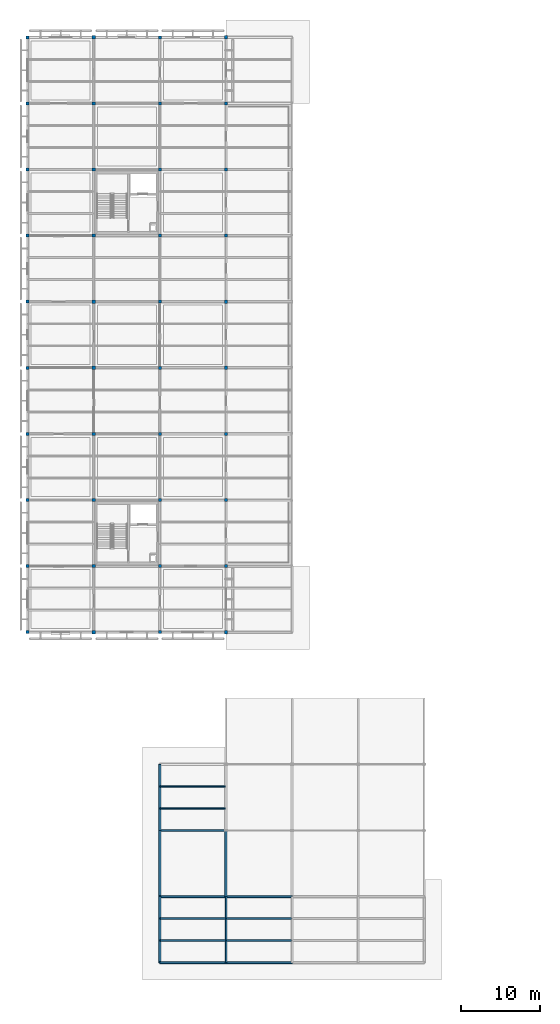
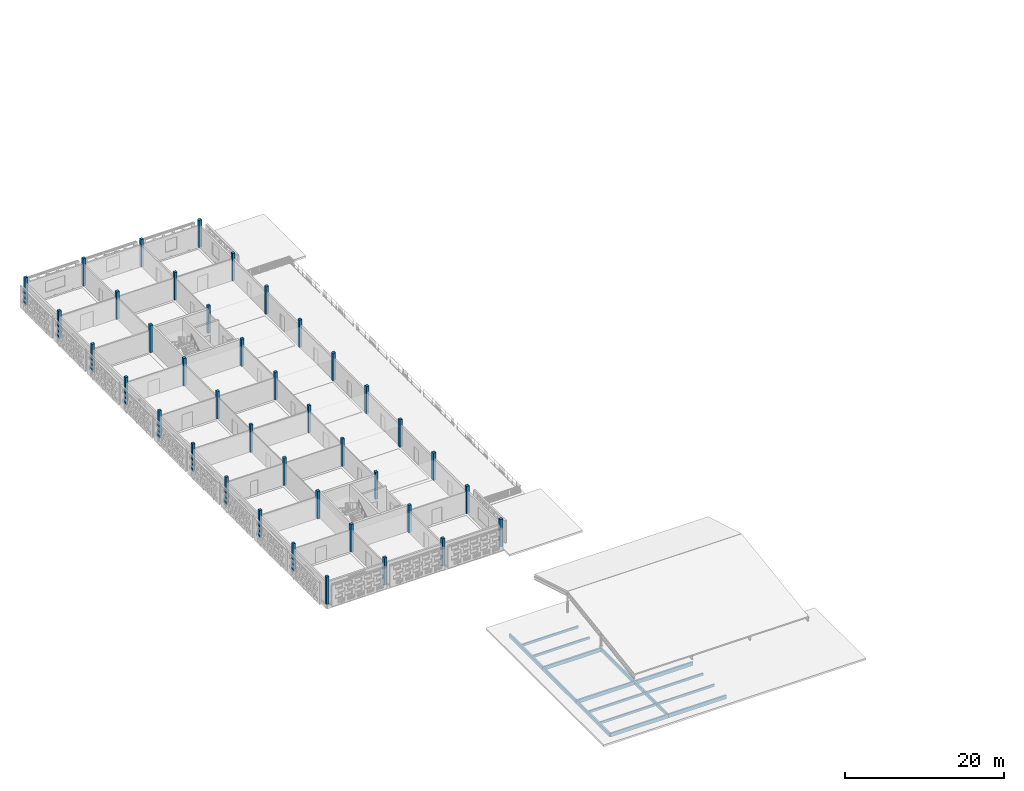
# One storey, part 1 of 31: 40 columns, 16 beams.
"""IFC4 building model written with IfcOpenShell, lengths in metres."""

from ifc_helpers import new_model, si_unit, direction, frame, origin, origin_2d, place, context, subcontext, project, spatial, rectangle, extrude, material, material_profile, profile_set, type_object, element, save


model = new_model("IFC4")

# Units and contexts
model_context = context("Model", 3, precision=1e-05, world=origin(), true_north=direction((0.0, 1.0)))
body_context = subcontext(model_context, "Body", "Model", "MODEL_VIEW")
ifc_project = project(units=[si_unit("LENGTHUNIT", "METRE"), si_unit("AREAUNIT", "SQUARE_METRE"), si_unit("VOLUMEUNIT", "CUBIC_METRE"), si_unit("PLANEANGLEUNIT", "RADIAN"), si_unit("MASSUNIT", "GRAM", prefix="KILO")], contexts=[model_context])

# Site, building, storey
site_placement = place(None, origin())
site = spatial("IfcSite", under=ifc_project, at=site_placement, CompositionType="ELEMENT")
building_placement = place(site_placement, origin())
building = spatial("IfcBuilding", under=site, at=building_placement, Name="Varnapada Polytechnic", CompositionType="ELEMENT")
storey_placement = place(building_placement, frame((0.0, 0.0, 22.199951171875)))
storey = spatial("IfcBuildingStorey", under=building, at=storey_placement, Name="L05", CompositionType="ELEMENT", Elevation=22.199951171875)

# Columns
ifc_material = material(Name="Glulam GL32h", Category="wood")
ifc_material_profile_1 = material_profile(ifc_material, rectangle(XDim=0.39990234375, YDim=0.39990234375, at=origin_2d()), Name="GL 400x400")
ifc_profile_set_1 = profile_set([ifc_material_profile_1], Name="Glulam GL32h")
column_type_1 = type_object("IfcColumnType", Name="Column C-13 (GL 400x400)", PredefinedType="COLUMN", material=ifc_profile_set_1)
for number, where, z_axis, x_axis, name in (
    (1, (8.39990234375, 50.39990234375, 0.0), (0.0, 0.0, 1.0), (1.0, 0.0, 0.0), "L05 column 2/7"),
    (2, (8.39990234375, 58.800048828125, 0.0), (0.0, 0.0, 1.0), (1.0, 0.0, 0.0), "L05 column 2/8"),
    (3, (8.39990234375, 67.199951171875, 0.0), (0.0, 0.0, 1.0), (1.0, 0.0, 0.0), "L05 column 2/9"),
    (4, (8.39990234375, 75.60009765625, 0.0), (0.0, 0.0, 1.0), (1.0, 0.0, 0.0), "L05 column 2/10"),
    (5, (8.39990234375, 84.0, 0.0), (0.0, 0.0, 1.0), (1.0, 0.0, 0.0), "L05 column 2/11"),
    (6, (8.39990234375, 92.39990234375, 0.0), (0.0, 0.0, 1.0), (1.0, 0.0, 0.0), "L05 column 2/12"),
    (7, (8.39990234375, 100.800048828125, 0.0), (0.0, 0.0, 1.0), (1.0, 0.0, 0.0), "L05 column 2/13"),
    (8, (8.39990234375, 109.199951171875, 0.0), (0.0, 0.0, 1.0), (1.0, 0.0, 0.0), "L05 column 2/14"),
    (9, (8.39990234375, 117.60009765625, 0.0), (0.0, 0.0, 1.0), (1.0, 0.0, 0.0), "L05 column 2/15"),
    (10, (8.39990234375, 126.0, 0.0), (0.0, 0.0, 1.0), (1.0, 0.0, 0.0), "L05 column 2/16"),
    (11, (25.199951171875, 50.39990234375, 0.0), (0.0, 0.0, 1.0), (1.0, 0.0, 0.0), "L05 column 4/7"),
    (12, (25.199951171875, 58.800048828125, 0.0), (0.0, 0.0, 1.0), (1.0, 0.0, 0.0), "L05 column 4/8"),
    (13, (25.199951171875, 67.199951171875, 0.0), (0.0, 0.0, 1.0), (1.0, 0.0, 0.0), "L05 column 4/9"),
    (14, (25.199951171875, 75.60009765625, 0.0), (0.0, 0.0, 1.0), (1.0, 0.0, 0.0), "L05 column 4/10"),
    (15, (25.199951171875, 84.0, 0.0), (0.0, 0.0, 1.0), (1.0, 0.0, 0.0), "L05 column 4/11"),
    (16, (25.199951171875, 92.39990234375, 0.0), (0.0, 0.0, 1.0), (1.0, 0.0, 0.0), "L05 column 4/12"),
    (17, (25.199951171875, 100.800048828125, 0.0), (0.0, 0.0, 1.0), (1.0, 0.0, 0.0), "L05 column 4/13"),
    (18, (25.199951171875, 109.199951171875, 0.0), (0.0, 0.0, 1.0), (1.0, 0.0, 0.0), "L05 column 4/14"),
    (19, (25.199951171875, 117.60009765625, 0.0), (0.0, 0.0, 1.0), (1.0, 0.0, 0.0), "L05 column 4/15"),
    (20, (25.199951171875, 126.0, 0.0), (0.0, 0.0, 1.0), (1.0, 0.0, 0.0), "L05 column 4/16"),
):
    element("IfcColumn", number, at=place(storey_placement, frame(where, z_axis=z_axis, x_axis=x_axis)), inside=storey, type_object=column_type_1, Name=name, PredefinedType="COLUMN", context=body_context, shape_type="SweptSolid", body=[
        extrude(rectangle(XDim=0.39990234375, YDim=0.39990234375, at=origin_2d()), origin(), (0.0, 0.0, 1.0), 4.199951171875),
    ])
ifc_material_profile_2 = material_profile(ifc_material, rectangle(XDim=0.3798828125, YDim=0.3798828125, at=origin_2d()), Name="GL 380x380")
ifc_profile_set_2 = profile_set([ifc_material_profile_2], Name="Glulam GL32h")
column_type_2 = type_object("IfcColumnType", Name="Column C-24 (GL 380x380)", PredefinedType="COLUMN", material=ifc_profile_set_2)
for number, where, z_axis, x_axis, name in (
    (21, (0.0, 50.39990234375, 0.0), (0.0, 0.0, 1.0), (1.0, 0.0, 0.0), "L05 column 1/7"),
    (22, (0.0, 58.800048828125, 0.0), (0.0, 0.0, 1.0), (1.0, 0.0, 0.0), "L05 column 1/8"),
    (23, (0.0, 67.199951171875, 0.0), (0.0, 0.0, 1.0), (1.0, 0.0, 0.0), "L05 column 1/9"),
    (24, (0.0, 75.60009765625, 0.0), (0.0, 0.0, 1.0), (1.0, 0.0, 0.0), "L05 column 1/10"),
    (25, (0.0, 84.0, 0.0), (0.0, 0.0, 1.0), (1.0, 0.0, 0.0), "L05 column 1/11"),
    (26, (0.0, 92.39990234375, 0.0), (0.0, 0.0, 1.0), (1.0, 0.0, 0.0), "L05 column 1/12"),
    (27, (0.0, 100.800048828125, 0.0), (0.0, 0.0, 1.0), (1.0, 0.0, 0.0), "L05 column 1/13"),
    (28, (0.0, 109.199951171875, 0.0), (0.0, 0.0, 1.0), (1.0, 0.0, 0.0), "L05 column 1/14"),
    (29, (0.0, 117.60009765625, 0.0), (0.0, 0.0, 1.0), (1.0, 0.0, 0.0), "L05 column 1/15"),
    (30, (0.0, 126.0, 0.0), (0.0, 0.0, 1.0), (1.0, 0.0, 0.0), "L05 column 1/16"),
    (31, (16.800048828125, 50.39990234375, 0.0), (0.0, 0.0, 1.0), (1.0, 0.0, 0.0), "L05 column 3/7"),
    (32, (16.800048828125, 58.800048828125, 0.0), (0.0, 0.0, 1.0), (1.0, 0.0, 0.0), "L05 column 3/8"),
    (33, (16.800048828125, 67.199951171875, 0.0), (0.0, 0.0, 1.0), (1.0, 0.0, 0.0), "L05 column 3/9"),
    (34, (16.800048828125, 75.60009765625, 0.0), (0.0, 0.0, 1.0), (1.0, 0.0, 0.0), "L05 column 3/10"),
    (35, (16.800048828125, 84.0, 0.0), (0.0, 0.0, 1.0), (1.0, 0.0, 0.0), "L05 column 3/11"),
    (36, (16.800048828125, 92.39990234375, 0.0), (0.0, 0.0, 1.0), (1.0, 0.0, 0.0), "L05 column 3/12"),
    (37, (16.800048828125, 100.800048828125, 0.0), (0.0, 0.0, 1.0), (1.0, 0.0, 0.0), "L05 column 3/13"),
    (38, (16.800048828125, 109.199951171875, 0.0), (0.0, 0.0, 1.0), (1.0, 0.0, 0.0), "L05 column 3/14"),
    (39, (16.800048828125, 117.60009765625, 0.0), (0.0, 0.0, 1.0), (1.0, 0.0, 0.0), "L05 column 3/15"),
    (40, (16.800048828125, 126.0, 0.0), (0.0, 0.0, 1.0), (1.0, 0.0, 0.0), "L05 column 3/16"),
):
    element("IfcColumn", number, at=place(storey_placement, frame(where, z_axis=z_axis, x_axis=x_axis)), inside=storey, type_object=column_type_2, Name=name, PredefinedType="COLUMN", context=body_context, shape_type="SweptSolid", body=[
        extrude(rectangle(XDim=0.3798828125, YDim=0.3798828125, at=origin_2d()), origin(), (0.0, 0.0, 1.0), 4.199951171875),
    ])

# Beams
ifc_material_profile_3 = material_profile(ifc_material, rectangle(XDim=0.239990234375, YDim=0.56005859375, at=origin_2d()), Name="GL 240x560")
ifc_profile_set_3 = profile_set([ifc_material_profile_3], Name="Glulam GL32h")
beam_type_1 = type_object("IfcBeamType", Name="Perimeter glulam spandrel beam SP-02 (GL 240x560)", PredefinedType="SPANDREL", material=ifc_profile_set_3)
beam_1_placement = place(storey_placement, frame((16.800048828125, 8.39990234375, -0.550048828125), z_axis=(1.0, 0.0, 0.0), x_axis=(0.0, 1.0, 0.0)))
element("IfcBeam", 41, at=beam_1_placement, inside=storey, type_object=beam_type_1, Name="L05 beam X 3-4 at Y2", PredefinedType="SPANDREL", context=body_context, shape_type="SweptSolid", body=[
    extrude(rectangle(XDim=0.239990234375, YDim=0.56005859375, at=origin_2d()), origin(), (0.0, 0.0, 1.0), 8.39990234375),
])
for number, where, z_axis, x_axis, name in (
    (42, (25.199951171875, 8.39990234375, -0.550048828125), (1.0, 0.0, 0.0), (0.0, 1.0, 0.0), "L05 beam X 4-5 at Y2"),
    (43, (25.199951171875, 16.800048828125, -0.550048828125), (1.0, 0.0, 0.0), (0.0, 1.0, 0.0), "L05 beam X 4-5 at Y3"),
    (44, (16.800048828125, 8.39990234375, -0.550048828125), (0.0, 1.0, 0.0), (-1.0, 0.0, 0.0), "L05 beam Y 2-3 at X3"),
):
    element("IfcBeam", number, at=place(storey_placement, frame(where, z_axis=z_axis, x_axis=x_axis)), inside=storey, type_object=beam_type_1, Name=name, PredefinedType="SPANDREL", context=body_context, shape_type="SweptSolid", body=[
        extrude(rectangle(XDim=0.239990234375, YDim=0.56005859375, at=origin_2d()), origin(), (0.0, 0.0, 1.0), 8.400146484375),
    ])
beam_2_placement = place(storey_placement, frame((16.800048828125, 16.800048828125, -0.550048828125), z_axis=(0.0, 1.0, 0.0), x_axis=(-1.0, 0.0, 0.0)))
element("IfcBeam", 45, at=beam_2_placement, inside=storey, type_object=beam_type_1, Name="L05 beam Y 3-4 at X3", PredefinedType="SPANDREL", context=body_context, shape_type="SweptSolid", body=[
    extrude(rectangle(XDim=0.239990234375, YDim=0.56005859375, at=origin_2d()), origin(), (0.0, 0.0, 1.0), 8.39990234375),
])
beam_3_placement = place(storey_placement, frame((16.800048828125, 25.199951171875, -0.550048828125), z_axis=(0.0, 1.0, 0.0), x_axis=(-1.0, 0.0, 0.0)))
element("IfcBeam", 46, at=beam_3_placement, inside=storey, type_object=beam_type_1, Name="L05 beam Y 4-5 at X3", PredefinedType="SPANDREL", context=body_context, shape_type="SweptSolid", body=[
    extrude(rectangle(XDim=0.239990234375, YDim=0.56005859375, at=origin_2d()), origin(), (0.0, 0.0, 1.0), 8.400146484375),
])
beam_4_placement = place(storey_placement, frame((25.199951171875, 16.800048828125, -0.550048828125), z_axis=(0.0, 1.0, 0.0), x_axis=(-1.0, 0.0, 0.0)))
element("IfcBeam", 47, at=beam_4_placement, inside=storey, type_object=beam_type_1, Name="L05 beam Y 3-4 at X4", PredefinedType="SPANDREL", context=body_context, shape_type="SweptSolid", body=[
    extrude(rectangle(XDim=0.239990234375, YDim=0.56005859375, at=origin_2d()), origin(), (0.0, 0.0, 1.0), 8.39990234375),
])
ifc_material_profile_4 = material_profile(ifc_material, rectangle(XDim=0.239990234375, YDim=0.56005859375, at=origin_2d()), Name="GL 240x560")
ifc_profile_set_4 = profile_set([ifc_material_profile_4], Name="Glulam GL32h")
beam_type_2 = type_object("IfcBeamType", Name="Studio primary glulam girder GG-03 (GL 240x560)", PredefinedType="BEAM", material=ifc_profile_set_4)
for number, where, z_axis, x_axis, name in (
    (48, (16.800048828125, 16.800048828125, -0.550048828125), (1.0, 0.0, 0.0), (0.0, 1.0, 0.0), "L05 beam X 3-4 at Y3"),
    (49, (16.800048828125, 25.199951171875, -0.550048828125), (1.0, 0.0, 0.0), (0.0, 1.0, 0.0), "L05 beam X 3-4 at Y4"),
):
    element("IfcBeam", number, at=place(storey_placement, frame(where, z_axis=z_axis, x_axis=x_axis)), inside=storey, type_object=beam_type_2, Name=name, PredefinedType="BEAM", context=body_context, shape_type="SweptSolid", body=[
        extrude(rectangle(XDim=0.239990234375, YDim=0.56005859375, at=origin_2d()), origin(), (0.0, 0.0, 1.0), 8.39990234375),
    ])
ifc_material_profile_5 = material_profile(ifc_material, rectangle(XDim=0.179931640625, YDim=0.360107421875, at=origin_2d()), Name="GL 180x360")
ifc_profile_set_5 = profile_set([ifc_material_profile_5], Name="Glulam GL32h")
beam_type_3 = type_object("IfcBeamType", Name="Studio/seminar glulam floor joist GJ-02 (GL 180x360)", PredefinedType="JOIST", material=ifc_profile_set_5)
for number, where, z_axis, x_axis, name in (
    (50, (16.8798828125, 11.199951171875, -0.449951171875), (1.0, 0.0, 0.0), (0.0, 1.0, 0.0), "L05 floor joist 3/2.1"),
    (51, (16.8798828125, 14.0, -0.449951171875), (1.0, 0.0, 0.0), (0.0, 1.0, 0.0), "L05 floor joist 3/2.2"),
    (52, (16.8798828125, 28.0, -0.449951171875), (1.0, 0.0, 0.0), (0.0, 1.0, 0.0), "L05 floor joist 3/4.1"),
    (53, (16.8798828125, 30.800048828125, -0.449951171875), (1.0, 0.0, 0.0), (0.0, 1.0, 0.0), "L05 floor joist 3/4.2"),
):
    element("IfcBeam", number, at=place(storey_placement, frame(where, z_axis=z_axis, x_axis=x_axis)), inside=storey, type_object=beam_type_3, Name=name, PredefinedType="JOIST", context=body_context, shape_type="SweptSolid", body=[
        extrude(rectangle(XDim=0.179931640625, YDim=0.360107421875, at=origin_2d()), origin(), (0.0, 0.0, 1.0), 8.240234375),
    ])
for number, where, z_axis, x_axis, name in (
    (54, (25.280029296875, 11.199951171875, -0.449951171875), (1.0, 0.0, 0.0), (0.0, 1.0, 0.0), "L05 floor joist 4/2.1"),
    (55, (25.280029296875, 14.0, -0.449951171875), (1.0, 0.0, 0.0), (0.0, 1.0, 0.0), "L05 floor joist 4/2.2"),
):
    element("IfcBeam", number, at=place(storey_placement, frame(where, z_axis=z_axis, x_axis=x_axis)), inside=storey, type_object=beam_type_3, Name=name, PredefinedType="JOIST", context=body_context, shape_type="SweptSolid", body=[
        extrude(rectangle(XDim=0.179931640625, YDim=0.360107421875, at=origin_2d()), origin(), (0.0, 0.0, 1.0), 8.239990234375),
    ])
ifc_material_profile_6 = material_profile(ifc_material, rectangle(XDim=0.219970703125, YDim=0.47998046875, at=origin_2d()), Name="GL 220x480")
ifc_profile_set_6 = profile_set([ifc_material_profile_6], Name="Glulam GL32h")
beam_type_4 = type_object("IfcBeamType", Name="Upper floor glulam tie beam GB-11 (GL 220x480)", PredefinedType="BEAM", material=ifc_profile_set_6)
beam_5_placement = place(storey_placement, frame((25.199951171875, 8.39990234375, -0.510009765625), z_axis=(0.0, 1.0, 0.0), x_axis=(-1.0, 0.0, 0.0)))
element("IfcBeam", 56, at=beam_5_placement, inside=storey, type_object=beam_type_4, Name="L05 beam Y 2-3 at X4", PredefinedType="BEAM", context=body_context, shape_type="SweptSolid", body=[
    extrude(rectangle(XDim=0.219970703125, YDim=0.47998046875, at=origin_2d()), origin(), (0.0, 0.0, 1.0), 8.400146484375),
])

save(model, "model.ifc")
